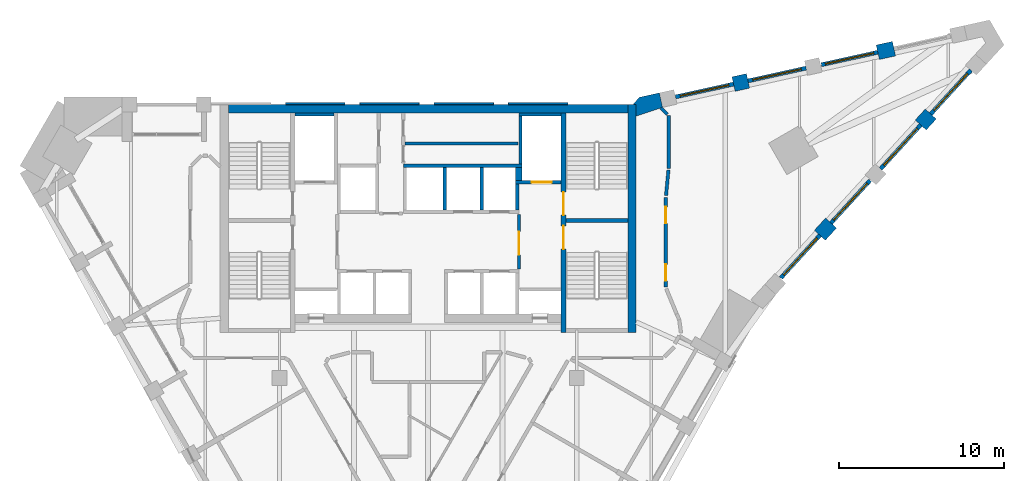
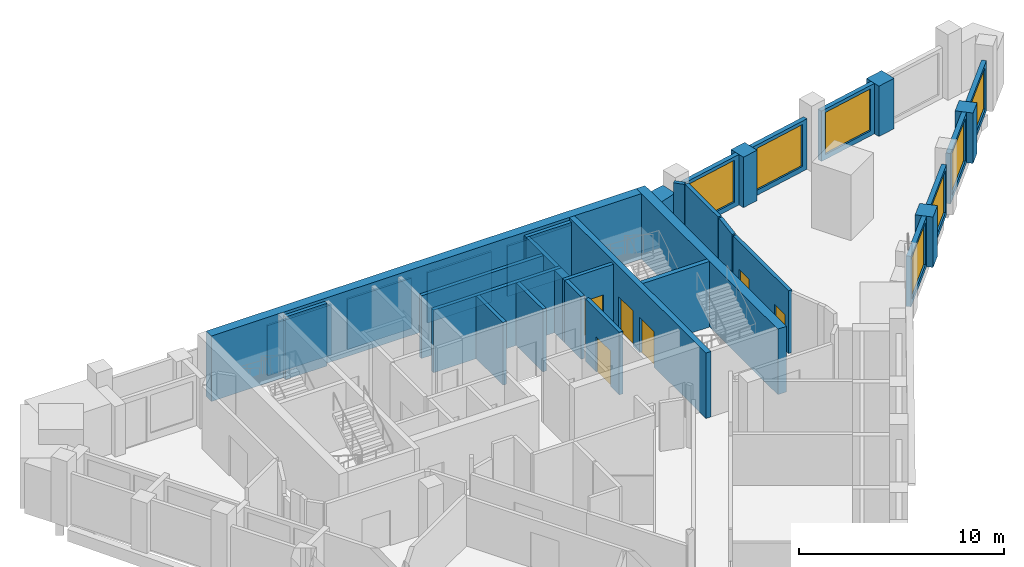
# One storey, part 6 of 8: 35 walls, 7 windows, 6 doors, 13 openings.
"""IFC4 building model written with IfcOpenShell, lengths in metres."""

from ifc_helpers import new_model, si_unit, direction, frame, frame_2d, origin, place, context, subcontext, project, spatial, polyline, rectangle, outline, extrude, material, layer, layer_set, type_object, element, fill, save


model = new_model("IFC4")

# Units and contexts
model_context = context("Model", 3, precision=1e-05, world=origin(), true_north=direction((0.0, 1.0)))
body_context = subcontext(model_context, "Body", "Model", "MODEL_VIEW")
ifc_project = project(units=[si_unit("LENGTHUNIT", "METRE"), si_unit("AREAUNIT", "SQUARE_METRE"), si_unit("VOLUMEUNIT", "CUBIC_METRE"), si_unit("PLANEANGLEUNIT", "RADIAN"), si_unit("MASSUNIT", "GRAM", prefix="KILO")], contexts=[model_context])

# Site, building, storey
site_placement = place(None, origin())
site = spatial("IfcSite", under=ifc_project, at=site_placement, CompositionType="ELEMENT")
building_placement = place(site_placement, origin())
building = spatial("IfcBuilding", under=site, at=building_placement, Name="Calabash Gate Tower", CompositionType="ELEMENT")
storey_placement = place(building_placement, frame((0.0, 0.0, 263.800048828125)))
storey = spatial("IfcBuildingStorey", under=building, at=storey_placement, Name="L63", CompositionType="ELEMENT", Elevation=263.800048828125)

# Walls
ifc_material_1 = material(Name="Terracotta brick masonry, exposed face", Category="masonry")
ifc_layer_1 = layer(ifc_material_1, 0.89990234375)
ifc_layer_set_1 = layer_set([ifc_layer_1], Name="Brick end wall 900")
wall_type_1 = type_object("IfcWallType", Name="Brick end wall 900", PredefinedType="SOLIDWALL", material=ifc_layer_set_1)
wall_1_placement = place(storey_placement, frame((23.728515625, 11.135009765625, 0.0), z_axis=(0.0, 0.0, 1.0), x_axis=(0.674788120713, 0.738011512203, 0.0)))
element("IfcWall", 1, at=wall_1_placement, inside=storey, type_object=wall_type_1, Name="Brick pier S18 wedge3.1", PredefinedType="SOLIDWALL", context=body_context, shape_type="SweptSolid", body=[
    extrude(rectangle(XDim=1.00390625, YDim=0.89990234375, at=frame_2d((0.501953125, 0.0))), origin(), (0.0, 0.0, 1.0), 3.0),
])
wall_2_placement = place(storey_placement, frame((30.44482421875, 18.47900390625, 0.0), z_axis=(0.0, 0.0, 1.0), x_axis=(-0.674938051731, -0.737874397391, 0.0)))
element("IfcWall", 2, at=wall_2_placement, inside=storey, type_object=wall_type_1, Name="Brick pier S18 wedge3.3", PredefinedType="SOLIDWALL", context=body_context, shape_type="SweptSolid", body=[
    extrude(rectangle(XDim=0.89990234375, YDim=0.89990234375, at=frame_2d((0.449951171875, 0.0))), origin(), (0.0, 0.0, 1.0), 3.0),
])
wall_3_placement = place(storey_placement, frame((28.21728515625, 22.436279296875, 0.0), z_axis=(0.0, 0.0, 1.0), x_axis=(-0.97656888558, -0.215205045752, 0.0)))
element("IfcWall", 3, at=wall_3_placement, inside=storey, type_object=wall_type_1, Name="Brick pier S18 wedge5.1", PredefinedType="SOLIDWALL", context=body_context, shape_type="SweptSolid", body=[
    extrude(rectangle(XDim=1.00390625, YDim=0.89990234375, at=frame_2d((0.501953125, 0.0))), origin(), (0.0, 0.0, 1.0), 3.0),
])
wall_4_placement = place(storey_placement, frame((18.4990234375, 20.2919921875, 0.0), z_axis=(0.0, 0.0, 1.0), x_axis=(0.976473402733, 0.215637876437, 0.0)))
element("IfcWall", 4, at=wall_4_placement, inside=storey, type_object=wall_type_1, Name="Brick pier S18 wedge5.3", PredefinedType="SOLIDWALL", context=body_context, shape_type="SweptSolid", body=[
    extrude(rectangle(XDim=0.900146484375, YDim=0.89990234375, at=frame_2d((0.4501953125, 0.0))), origin(), (0.0, 0.0, 1.0), 3.0),
])
wall_5_placement = place(storey_placement, origin())
element("IfcWall", 5, at=wall_5_placement, inside=storey, type_object=wall_type_1, Name="Brick end wall S18 3", PredefinedType="SOLIDWALL", context=body_context, shape_type="SweptSolid", body=[
    extrude(outline(polyline([(14.201416015625, 18.883056640625), (14.0078125, 19.761962890625), (12.784423828125, 19.491943359375), (12.410400390625, 19.052490234375), (12.60009765625, 19.052490234375), (12.60009765625, 18.351806640625), (14.201416015625, 18.883056640625)])), origin(), (0.0, 0.0, 1.0), 3.0),
])
ifc_material_2 = material(Name="Concrete C60/75", Category="concrete")
ifc_layer_2 = layer(ifc_material_2, 0.25)
ifc_layer_set_2 = layer_set([ifc_layer_2], Name="Core wall 250 Concrete C60/75")
wall_type_2 = type_object("IfcWallType", Name="Core wall 250 Concrete C60/75", PredefinedType="SHEAR", material=ifc_layer_set_2)
wall_6_placement = place(storey_placement, frame((8.35009765625, 12.027587890625, 0.0), z_axis=(0.0, 0.0, 1.0), x_axis=(1.0, 0.0, 0.0)))
element("IfcWall", 6, at=wall_6_placement, inside=storey, type_object=wall_type_2, Name="Core wall Z5-MIDE L63", PredefinedType="SHEAR", context=body_context, shape_type="SweptSolid", body=[
    extrude(rectangle(XDim=3.75, YDim=0.25, at=frame_2d((1.875, 0.0))), origin(), (0.0, 0.0, 1.0), 3.89990234375),
])

# Wall, openings, doors
ifc_material_3 = material(Name="Concrete C60/75", Category="concrete")
ifc_layer_3 = layer(ifc_material_3, 0.300048828125)
ifc_layer_set_3 = layer_set([ifc_layer_3], Name="Core wall 300 Concrete C60/75")
wall_type_3 = type_object("IfcWallType", Name="Core wall 300 Concrete C60/75", PredefinedType="SHEAR", material=ifc_layer_set_3)
wall_7_placement = place(storey_placement, frame((8.199951171875, 5.252685546875, 0.0), z_axis=(0.0, 0.0, 1.0), x_axis=(0.0, 1.0, 0.0)))
wall_7 = element("IfcWall", 7, at=wall_7_placement, inside=storey, type_object=wall_type_3, Name="Core wall Z5-PARTE L63", PredefinedType="SHEAR", context=body_context, shape_type="SweptSolid", body=[
    extrude(rectangle(XDim=13.2998046875, YDim=0.300048828125, at=frame_2d((6.64990234375, 0.0))), origin(), (0.0, 0.0, 1.0), 3.89990234375),
])
opening_1_placement = place(wall_7_placement, frame((7.10009765625, 0.0, 0.0)))
opening_1 = element("IfcOpeningElement", 8, at=opening_1_placement, cuts=wall_7, Name="Opening O10-011", PredefinedType="OPENING", context=body_context, shape_type="SweptSolid", body=[
    extrude(rectangle(XDim=1.39990234375, YDim=2.10009765625, at=frame_2d((0.699951171875, 1.050048828125))), frame((0.0, 0.159912109375, 0.0), z_axis=(0.0, -1.0, 0.0), x_axis=(1.0, 0.0, 0.0)), (0.0, 0.0, 1.0), 0.320068359375),
])
opening_2_placement = place(wall_7_placement, frame((5.050048828125, 0.0, 0.0)))
opening_2 = element("IfcOpeningElement", 9, at=opening_2_placement, cuts=wall_7, Name="Opening O10-012", PredefinedType="OPENING", context=body_context, shape_type="SweptSolid", body=[
    extrude(rectangle(XDim=1.39990234375, YDim=2.10009765625, at=frame_2d((0.699951171875, 1.050048828125))), frame((0.0, 0.159912109375, 0.0), z_axis=(0.0, -1.0, 0.0), x_axis=(1.0, 0.0, 0.0)), (0.0, 0.0, 1.0), 0.320068359375),
])
ifc_material_4 = material(Name="Steel fire door set with fire-resisting glazing", Category="steel")
door_type_1 = type_object("IfcDoorType", Name="Fire door D05 1400x2100 FD90", OperationType="NOTDEFINED", PredefinedType="DOOR", material=ifc_material_4)
door_1_placement = place(opening_1_placement, origin())
door_1 = element("IfcDoor", 10, at=door_1_placement, inside=storey, type_object=door_type_1, Name="Exit stair door ST3", OperationType="SINGLE_SWING_RIGHT", OverallHeight=2.10009765625, OverallWidth=1.39990234375, PredefinedType="DOOR", context=body_context, shape_type="SweptSolid", body=[
    extrude(rectangle(XDim=1.39990234375, YDim=2.10009765625, at=frame_2d((0.699951171875, 1.050048828125))), frame((0.0, 0.02490234375, 0.0), z_axis=(0.0, -1.0, 0.0), x_axis=(1.0, 0.0, 0.0)), (0.0, 0.0, 1.0), 0.050048828125),
])
fill(opening_1, door_1)
door_2_placement = place(opening_2_placement, origin())
door_2 = element("IfcDoor", 11, at=door_2_placement, inside=storey, type_object=door_type_1, Name="Exit stair door ST4", OperationType="SINGLE_SWING_LEFT", OverallHeight=2.10009765625, OverallWidth=1.39990234375, PredefinedType="DOOR", context=body_context, shape_type="SweptSolid", body=[
    extrude(rectangle(XDim=1.39990234375, YDim=2.10009765625, at=frame_2d((0.699951171875, 1.050048828125))), frame((0.0, 0.02490234375, 0.0), z_axis=(0.0, -1.0, 0.0), x_axis=(1.0, 0.0, 0.0)), (0.0, 0.0, 1.0), 0.050048828125),
])
fill(opening_2, door_2)

# Walls
ifc_material_5 = material(Name="Concrete C60/75", Category="concrete")
ifc_layer_4 = layer(ifc_material_5, 0.5)
ifc_layer_set_4 = layer_set([ifc_layer_4], Name="Core wall 500 Concrete C60/75")
wall_type_4 = type_object("IfcWallType", Name="Core wall 500 Concrete C60/75", PredefinedType="SHEAR", material=ifc_layer_set_4)
wall_8_placement = place(storey_placement, frame((-12.10009765625, 18.802490234375, 0.0), z_axis=(0.0, 0.0, 1.0), x_axis=(1.0, 0.0, 0.0)))
element("IfcWall", 12, at=wall_8_placement, inside=storey, type_object=wall_type_4, Name="Core wall Z5-N L63", PredefinedType="SHEAR", context=body_context, shape_type="SweptSolid", body=[
    extrude(rectangle(XDim=24.2001953125, YDim=0.5, at=frame_2d((12.10009765625, 0.0))), origin(), (0.0, 0.0, 1.0), 3.89990234375),
])
wall_9_placement = place(storey_placement, frame((12.35009765625, 5.252685546875, 0.0), z_axis=(0.0, 0.0, 1.0), x_axis=(0.0, 1.0, 0.0)))
element("IfcWall", 13, at=wall_9_placement, inside=storey, type_object=wall_type_4, Name="Core wall Z5-COLE L63", PredefinedType="SHEAR", context=body_context, shape_type="SweptSolid", body=[
    extrude(rectangle(XDim=13.7998046875, YDim=0.5, at=frame_2d((6.89990234375, 0.0))), origin(), (0.0, 0.0, 1.0), 3.89990234375),
])

# Wall, openings, doors
ifc_material_6 = material(Name="Gypsum board on steel studs, mineral wool", Category="steel")
ifc_layer_5 = layer(ifc_material_6, 0.199951171875)
ifc_layer_set_5 = layer_set([ifc_layer_5], Name="Partition 200 gypsum board EI 60")
wall_type_5 = type_object("IfcWallType", Name="Partition 200 gypsum board EI 60", PredefinedType="PARTITIONING", material=ifc_layer_set_5)
wall_10_placement = place(storey_placement, frame((14.400390625, 8.017333984375, 0.0), z_axis=(0.0, 0.0, 1.0), x_axis=(0.0, 1.0, 0.0)))
wall_10 = element("IfcWall", 14, at=wall_10_placement, inside=storey, type_object=wall_type_5, Name="Partition", PredefinedType="PARTITIONING", context=body_context, shape_type="SweptSolid", body=[
    extrude(rectangle(XDim=5.419189453125, YDim=0.199951171875, at=frame_2d((2.70947265625, 0.0))), origin(), (0.0, 0.0, 1.0), 3.72998046875),
])
opening_3_placement = place(wall_10_placement, frame((3.83544921875, 0.0, 0.0)))
opening_3 = element("IfcOpeningElement", 15, at=opening_3_placement, cuts=wall_10, Name="Opening 62-64-008", PredefinedType="OPENING", context=body_context, shape_type="SweptSolid", body=[
    extrude(rectangle(XDim=1.0, YDim=2.10009765625, at=frame_2d((0.5, 1.050048828125))), frame((0.0, 0.10986328125, 0.0), z_axis=(0.0, -1.0, 0.0), x_axis=(1.0, 0.0, 0.0)), (0.0, 0.0, 1.0), 0.219970703125),
])
opening_4_placement = place(wall_10_placement, frame((0.35009765625, 0.0, 0.0)))
opening_4 = element("IfcOpeningElement", 16, at=opening_4_placement, cuts=wall_10, Name="Opening 62-64-009", PredefinedType="OPENING", context=body_context, shape_type="SweptSolid", body=[
    extrude(rectangle(XDim=1.0, YDim=2.10009765625, at=frame_2d((0.5, 1.050048828125))), frame((0.0, 0.10986328125, 0.0), z_axis=(0.0, -1.0, 0.0), x_axis=(1.0, 0.0, 0.0)), (0.0, 0.0, 1.0), 0.219970703125),
])
ifc_material_7 = material(Name="Steel fire door set with fire-resisting glazing", Category="steel")
door_type_2 = type_object("IfcDoorType", Name="LD2 Meeting room door 1000x2100", OperationType="NOTDEFINED", PredefinedType="DOOR", material=ifc_material_7)
door_3_placement = place(opening_3_placement, origin())
door_3 = element("IfcDoor", 17, at=door_3_placement, inside=storey, type_object=door_type_2, Name="Meeting room door", OperationType="SINGLE_SWING_RIGHT", OverallHeight=2.10009765625, OverallWidth=1.0, PredefinedType="DOOR", context=body_context, shape_type="SweptSolid", body=[
    extrude(rectangle(XDim=1.0, YDim=2.10009765625, at=frame_2d((0.5, 1.050048828125))), frame((0.0, 0.02490234375, 0.0), z_axis=(0.0, -1.0, 0.0), x_axis=(1.0, 0.0, 0.0)), (0.0, 0.0, 1.0), 0.050048828125),
])
fill(opening_3, door_3)
door_4_placement = place(opening_4_placement, origin())
door_4 = element("IfcDoor", 18, at=door_4_placement, inside=storey, type_object=door_type_2, Name="Meeting room door", OperationType="SINGLE_SWING_LEFT", OverallHeight=2.10009765625, OverallWidth=1.0, PredefinedType="DOOR", context=body_context, shape_type="SweptSolid", body=[
    extrude(rectangle(XDim=1.0, YDim=2.10009765625, at=frame_2d((0.5, 1.050048828125))), frame((0.0, 0.02490234375, 0.0), z_axis=(0.0, -1.0, 0.0), x_axis=(1.0, 0.0, 0.0)), (0.0, 0.0, 1.0), 0.050048828125),
])
fill(opening_4, door_4)

# Walls
wall_11_placement = place(storey_placement, frame((14.409912109375, 13.5361328125, 0.0), z_axis=(0.0, 0.0, 1.0), x_axis=(0.094453682086, 0.9955292572, 0.0)))
element("IfcWall", 19, at=wall_11_placement, inside=storey, type_object=wall_type_5, Name="Partition", PredefinedType="PARTITIONING", context=body_context, shape_type="SweptSolid", body=[
    extrude(rectangle(XDim=1.555908203125, YDim=0.199951171875, at=frame_2d((0.77783203125, 0.0))), origin(), (0.0, 0.0, 1.0), 3.72998046875),
])
wall_12_placement = place(storey_placement, frame((14.566162109375, 18.392578125, 0.0), z_axis=(0.0, 0.0, 1.0), x_axis=(0.0, -1.0, 0.0)))
element("IfcWall", 20, at=wall_12_placement, inside=storey, type_object=wall_type_5, Name="Partition", PredefinedType="PARTITIONING", context=body_context, shape_type="SweptSolid", body=[
    extrude(rectangle(XDim=3.2080078125, YDim=0.199951171875, at=frame_2d((1.60400390625, 0.0))), origin(), (0.0, 0.0, 1.0), 3.72998046875),
])
wall_13_placement = place(storey_placement, frame((14.107177734375, 18.851806640625, 0.0), z_axis=(0.0, 0.0, 1.0), x_axis=(0.707106781187, -0.707106781187, 0.0)))
element("IfcWall", 21, at=wall_13_placement, inside=storey, type_object=wall_type_5, Name="Partition", PredefinedType="PARTITIONING", context=body_context, shape_type="SweptSolid", body=[
    extrude(rectangle(XDim=0.54931640625, YDim=0.199951171875, at=frame_2d((0.274658203125, 0.0))), origin(), (0.0, 0.0, 1.0), 3.72998046875),
])

# Wall, opening, window
ifc_material_8 = material(Name="Aluminium framed window wall with insulated spandrel", Category="aluminium")
ifc_layer_6 = layer(ifc_material_8, 0.25)
ifc_layer_set_6 = layer_set([ifc_layer_6], Name="Prow window wall 250")
wall_type_6 = type_object("IfcWallType", Name="Prow window wall 250", PredefinedType="ELEMENTEDWALL", material=ifc_layer_set_6)
wall_14_placement = place(storey_placement, frame((21.367919921875, 8.5537109375, 0.0), z_axis=(0.0, 0.0, 1.0), x_axis=(0.67487449122, 0.737932531537, 0.0)))
wall_14 = element("IfcWall", 22, at=wall_14_placement, inside=storey, type_object=wall_type_6, Name="Prow window wall S18 wedge3.1", PredefinedType="ELEMENTEDWALL", context=body_context, shape_type="SweptSolid", body=[
    extrude(rectangle(XDim=3.5, YDim=0.25, at=frame_2d((1.75, 0.0))), origin(), (0.0, 0.0, 1.0), 3.0),
])
opening_5_placement = place(wall_14_placement, frame((0.25, 0.0, 0.300048828125)))
opening_5 = element("IfcOpeningElement", 23, at=opening_5_placement, cuts=wall_14, Name="Opening WP2", PredefinedType="OPENING", context=body_context, shape_type="SweptSolid", body=[
    extrude(rectangle(XDim=3.0, YDim=2.5, at=frame_2d((1.5, 1.25))), frame((0.0, 0.135009765625, 0.0), z_axis=(0.0, -1.0, 0.0), x_axis=(1.0, 0.0, 0.0)), (0.0, 0.0, 1.0), 0.27001953125),
])
ifc_material_9 = material(Name="Anodised aluminium frame, bronze finish, impact-rated laminated clear glazing", Category="aluminium")
window_type = type_object("IfcWindowType", Name="Window WP2 3000x2500", PartitioningType="DOUBLE_PANEL_VERTICAL", PredefinedType="WINDOW", material=ifc_material_9)
window_1_placement = place(opening_5_placement, origin())
window_1 = element("IfcWindow", 24, at=window_1_placement, inside=storey, type_object=window_type, Name="Prow window WP2 S18 wedge3.1", OverallHeight=2.5, OverallWidth=3.0, PartitioningType="SINGLE_PANEL", PredefinedType="WINDOW", context=body_context, shape_type="SweptSolid", body=[
    extrude(rectangle(XDim=3.0, YDim=2.5, at=frame_2d((1.5, 1.25))), frame((0.0, 0.030029296875, 0.0), z_axis=(0.0, -1.0, 0.0), x_axis=(1.0, 0.0, 0.0)), (0.0, 0.0, 1.0), 0.06005859375),
])
fill(opening_5, window_1)

wall_15_placement = place(storey_placement, frame((24.40478515625, 11.87451171875, 0.0), z_axis=(0.0, 0.0, 1.0), x_axis=(0.67487449122, 0.737932531537, 0.0)))
wall_15 = element("IfcWall", 25, at=wall_15_placement, inside=storey, type_object=wall_type_6, Name="Prow window wall S18 wedge3.2", PredefinedType="ELEMENTEDWALL", context=body_context, shape_type="SweptSolid", body=[
    extrude(rectangle(XDim=3.5, YDim=0.25, at=frame_2d((1.75, 0.0))), origin(), (0.0, 0.0, 1.0), 3.0),
])
opening_6_placement = place(wall_15_placement, frame((0.25, 0.0, 0.300048828125)))
opening_6 = element("IfcOpeningElement", 26, at=opening_6_placement, cuts=wall_15, Name="Opening WP2", PredefinedType="OPENING", context=body_context, shape_type="SweptSolid", body=[
    extrude(rectangle(XDim=3.0, YDim=2.5, at=frame_2d((1.5, 1.25))), frame((0.0, 0.135009765625, 0.0), z_axis=(0.0, -1.0, 0.0), x_axis=(1.0, 0.0, 0.0)), (0.0, 0.0, 1.0), 0.27001953125),
])
window_2_placement = place(opening_6_placement, origin())
window_2 = element("IfcWindow", 27, at=window_2_placement, inside=storey, type_object=window_type, Name="Prow window WP2 S18 wedge3.2", OverallHeight=2.5, OverallWidth=3.0, PartitioningType="SINGLE_PANEL", PredefinedType="WINDOW", context=body_context, shape_type="SweptSolid", body=[
    extrude(rectangle(XDim=3.0, YDim=2.5, at=frame_2d((1.5, 1.25))), frame((0.0, 0.030029296875, 0.0), z_axis=(0.0, -1.0, 0.0), x_axis=(1.0, 0.0, 0.0)), (0.0, 0.0, 1.0), 0.06005859375),
])
fill(opening_6, window_2)

wall_16_placement = place(storey_placement, frame((27.407958984375, 15.158203125, 0.0), z_axis=(0.0, 0.0, 1.0), x_axis=(0.674833575111, 0.737969949187, 0.0)))
wall_16 = element("IfcWall", 28, at=wall_16_placement, inside=storey, type_object=wall_type_6, Name="Prow window wall S18 wedge3.3", PredefinedType="ELEMENTEDWALL", context=body_context, shape_type="SweptSolid", body=[
    extrude(rectangle(XDim=3.60009765625, YDim=0.25, at=frame_2d((1.800048828125, 0.0))), origin(), (0.0, 0.0, 1.0), 3.0),
])
opening_7_placement = place(wall_16_placement, frame((0.300048828125, 0.0, 0.300048828125)))
opening_7 = element("IfcOpeningElement", 29, at=opening_7_placement, cuts=wall_16, Name="Opening WP2", PredefinedType="OPENING", context=body_context, shape_type="SweptSolid", body=[
    extrude(rectangle(XDim=3.0, YDim=2.5, at=frame_2d((1.5, 1.25))), frame((0.0, 0.135009765625, 0.0), z_axis=(0.0, -1.0, 0.0), x_axis=(1.0, 0.0, 0.0)), (0.0, 0.0, 1.0), 0.27001953125),
])
window_3_placement = place(opening_7_placement, origin())
window_3 = element("IfcWindow", 30, at=window_3_placement, inside=storey, type_object=window_type, Name="Prow window WP2 S18 wedge3.3", OverallHeight=2.5, OverallWidth=3.0, PartitioningType="SINGLE_PANEL", PredefinedType="WINDOW", context=body_context, shape_type="SweptSolid", body=[
    extrude(rectangle(XDim=3.0, YDim=2.5, at=frame_2d((1.5, 1.25))), frame((0.0, 0.030029296875, 0.0), z_axis=(0.0, -1.0, 0.0), x_axis=(1.0, 0.0, 0.0)), (0.0, 0.0, 1.0), 0.06005859375),
])
fill(opening_7, window_3)

wall_17_placement = place(storey_placement, frame((30.44482421875, 18.47900390625, 0.0), z_axis=(0.0, 0.0, 1.0), x_axis=(0.674833575111, 0.737969949187, 0.0)))
wall_17 = element("IfcWall", 31, at=wall_17_placement, inside=storey, type_object=wall_type_6, Name="Prow window wall S18 wedge3.4", PredefinedType="ELEMENTEDWALL", context=body_context, shape_type="SweptSolid", body=[
    extrude(rectangle(XDim=3.60009765625, YDim=0.25, at=frame_2d((1.800048828125, 0.0))), origin(), (0.0, 0.0, 1.0), 3.0),
])
opening_8_placement = place(wall_17_placement, frame((0.300048828125, 0.0, 0.300048828125)))
opening_8 = element("IfcOpeningElement", 32, at=opening_8_placement, cuts=wall_17, Name="Opening WP2", PredefinedType="OPENING", context=body_context, shape_type="SweptSolid", body=[
    extrude(rectangle(XDim=3.0, YDim=2.5, at=frame_2d((1.5, 1.25))), frame((0.0, 0.135009765625, 0.0), z_axis=(0.0, -1.0, 0.0), x_axis=(1.0, 0.0, 0.0)), (0.0, 0.0, 1.0), 0.27001953125),
])
window_4_placement = place(opening_8_placement, origin())
window_4 = element("IfcWindow", 33, at=window_4_placement, inside=storey, type_object=window_type, Name="Prow window WP2 S18 wedge3.4", OverallHeight=2.5, OverallWidth=3.0, PartitioningType="SINGLE_PANEL", PredefinedType="WINDOW", context=body_context, shape_type="SweptSolid", body=[
    extrude(rectangle(XDim=3.0, YDim=2.5, at=frame_2d((1.5, 1.25))), frame((0.0, 0.030029296875, 0.0), z_axis=(0.0, -1.0, 0.0), x_axis=(1.0, 0.0, 0.0)), (0.0, 0.0, 1.0), 0.06005859375),
])
fill(opening_8, window_4)

wall_18_placement = place(storey_placement, frame((27.23876953125, 22.220458984375, 0.0), z_axis=(0.0, 0.0, 1.0), x_axis=(-0.976509313763, -0.215475196101, 0.0)))
wall_18 = element("IfcWall", 34, at=wall_18_placement, inside=storey, type_object=wall_type_6, Name="Prow window wall S18 wedge5.2", PredefinedType="ELEMENTEDWALL", context=body_context, shape_type="SweptSolid", body=[
    extrude(rectangle(XDim=3.5, YDim=0.25, at=frame_2d((1.75, 0.0))), origin(), (0.0, 0.0, 1.0), 3.0),
])
opening_9_placement = place(wall_18_placement, frame((0.25, 0.0, 0.300048828125)))
opening_9 = element("IfcOpeningElement", 35, at=opening_9_placement, cuts=wall_18, Name="Opening WP2", PredefinedType="OPENING", context=body_context, shape_type="SweptSolid", body=[
    extrude(rectangle(XDim=3.0, YDim=2.5, at=frame_2d((1.5, 1.25))), frame((0.0, 0.135009765625, 0.0), z_axis=(0.0, -1.0, 0.0), x_axis=(1.0, 0.0, 0.0)), (0.0, 0.0, 1.0), 0.27001953125),
])
window_5_placement = place(opening_9_placement, origin())
window_5 = element("IfcWindow", 36, at=window_5_placement, inside=storey, type_object=window_type, Name="Prow window WP2 S18 wedge5.2", OverallHeight=2.5, OverallWidth=3.0, PartitioningType="SINGLE_PANEL", PredefinedType="WINDOW", context=body_context, shape_type="SweptSolid", body=[
    extrude(rectangle(XDim=3.0, YDim=2.5, at=frame_2d((1.5, 1.25))), frame((0.0, 0.030029296875, 0.0), z_axis=(0.0, -1.0, 0.0), x_axis=(1.0, 0.0, 0.0)), (0.0, 0.0, 1.0), 0.06005859375),
])
fill(opening_9, window_5)

wall_19_placement = place(storey_placement, frame((22.893310546875, 21.26171875, 0.0), z_axis=(0.0, 0.0, 1.0), x_axis=(-0.976513072969, -0.215458159096, 0.0)))
wall_19 = element("IfcWall", 37, at=wall_19_placement, inside=storey, type_object=wall_type_6, Name="Prow window wall S18 wedge5.3", PredefinedType="ELEMENTEDWALL", context=body_context, shape_type="SweptSolid", body=[
    extrude(rectangle(XDim=3.599853515625, YDim=0.25, at=frame_2d((1.7998046875, 0.0))), origin(), (0.0, 0.0, 1.0), 3.0),
])
opening_10_placement = place(wall_19_placement, frame((0.300048828125, 0.0, 0.300048828125)))
opening_10 = element("IfcOpeningElement", 38, at=opening_10_placement, cuts=wall_19, Name="Opening WP2", PredefinedType="OPENING", context=body_context, shape_type="SweptSolid", body=[
    extrude(rectangle(XDim=3.0, YDim=2.5, at=frame_2d((1.5, 1.25))), frame((0.0, 0.135009765625, 0.0), z_axis=(0.0, -1.0, 0.0), x_axis=(1.0, 0.0, 0.0)), (0.0, 0.0, 1.0), 0.27001953125),
])
window_6_placement = place(opening_10_placement, origin())
window_6 = element("IfcWindow", 39, at=window_6_placement, inside=storey, type_object=window_type, Name="Prow window WP2 S18 wedge5.3", OverallHeight=2.5, OverallWidth=3.0, PartitioningType="SINGLE_PANEL", PredefinedType="WINDOW", context=body_context, shape_type="SweptSolid", body=[
    extrude(rectangle(XDim=3.0, YDim=2.5, at=frame_2d((1.5, 1.25))), frame((0.0, 0.030029296875, 0.0), z_axis=(0.0, -1.0, 0.0), x_axis=(1.0, 0.0, 0.0)), (0.0, 0.0, 1.0), 0.06005859375),
])
fill(opening_10, window_6)

wall_20_placement = place(storey_placement, frame((18.4990234375, 20.2919921875, 0.0), z_axis=(0.0, 0.0, 1.0), x_axis=(-0.976513072969, -0.215458159096, 0.0)))
wall_20 = element("IfcWall", 40, at=wall_20_placement, inside=storey, type_object=wall_type_6, Name="Prow window wall S18 wedge5.4", PredefinedType="ELEMENTEDWALL", context=body_context, shape_type="SweptSolid", body=[
    extrude(rectangle(XDim=3.599853515625, YDim=0.25, at=frame_2d((1.7998046875, 0.0))), origin(), (0.0, 0.0, 1.0), 3.0),
])
opening_11_placement = place(wall_20_placement, frame((0.300048828125, 0.0, 0.300048828125)))
opening_11 = element("IfcOpeningElement", 41, at=opening_11_placement, cuts=wall_20, Name="Opening WP2", PredefinedType="OPENING", context=body_context, shape_type="SweptSolid", body=[
    extrude(rectangle(XDim=3.0, YDim=2.5, at=frame_2d((1.5, 1.25))), frame((0.0, 0.135009765625, 0.0), z_axis=(0.0, -1.0, 0.0), x_axis=(1.0, 0.0, 0.0)), (0.0, 0.0, 1.0), 0.27001953125),
])
window_7_placement = place(opening_11_placement, origin())
window_7 = element("IfcWindow", 42, at=window_7_placement, inside=storey, type_object=window_type, Name="Prow window WP2 S18 wedge5.4", OverallHeight=2.5, OverallWidth=3.0, PartitioningType="SINGLE_PANEL", PredefinedType="WINDOW", context=body_context, shape_type="SweptSolid", body=[
    extrude(rectangle(XDim=3.0, YDim=2.5, at=frame_2d((1.5, 1.25))), frame((0.0, 0.030029296875, 0.0), z_axis=(0.0, -1.0, 0.0), x_axis=(1.0, 0.0, 0.0)), (0.0, 0.0, 1.0), 0.06005859375),
])
fill(opening_11, window_7)

# Wall, opening, door
ifc_material_10 = material(Name="Concrete C40/50", Category="concrete")
ifc_layer_7 = layer(ifc_material_10, 0.199951171875)
ifc_layer_set_7 = layer_set([ifc_layer_7], Name="Shaft wall 200 Concrete C40/50")
wall_type_7 = type_object("IfcWallType", Name="Shaft wall 200 Concrete C40/50", PredefinedType="SOLIDWALL", material=ifc_layer_set_7)
wall_21_placement = place(storey_placement, frame((5.5, 9.1025390625, 0.0), z_axis=(0.0, 0.0, 1.0), x_axis=(0.0, 1.0, 0.0)))
wall_21 = element("IfcWall", 43, at=wall_21_placement, inside=storey, type_object=wall_type_7, Name="Shaft wall", PredefinedType="SOLIDWALL", context=body_context, shape_type="SweptSolid", body=[
    extrude(rectangle(XDim=3.300048828125, YDim=0.199951171875, at=frame_2d((1.64990234375, 0.0))), origin(), (0.0, 0.0, 1.0), 3.72998046875),
])
opening_12_placement = place(wall_21_placement, frame((0.85009765625, 0.0, 0.0)))
opening_12 = element("IfcOpeningElement", 44, at=opening_12_placement, cuts=wall_21, Name="Opening O10-002", PredefinedType="OPENING", context=body_context, shape_type="SweptSolid", body=[
    extrude(rectangle(XDim=1.39990234375, YDim=2.10009765625, at=frame_2d((0.699951171875, 1.050048828125))), frame((0.0, 0.10986328125, 0.0), z_axis=(0.0, -1.0, 0.0), x_axis=(1.0, 0.0, 0.0)), (0.0, 0.0, 1.0), 0.219970703125),
])
door_5_placement = place(opening_12_placement, origin())
door_5 = element("IfcDoor", 45, at=door_5_placement, inside=storey, type_object=door_type_1, Name="Firefighting Lobby E door", OperationType="SINGLE_SWING_LEFT", OverallHeight=2.10009765625, OverallWidth=1.39990234375, PredefinedType="DOOR", context=body_context, shape_type="SweptSolid", body=[
    extrude(rectangle(XDim=1.39990234375, YDim=2.10009765625, at=frame_2d((0.699951171875, 1.050048828125))), frame((0.0, 0.02490234375, 0.0), z_axis=(0.0, -1.0, 0.0), x_axis=(1.0, 0.0, 0.0)), (0.0, 0.0, 1.0), 0.050048828125),
])
fill(opening_12, door_5)

# Walls
for number, where, z_axis, x_axis, name in (
    (46, (1.0, 12.652587890625, 0.0), (0.0, 0.0, 1.0), (0.0, 1.0, 0.0), "Shaft wall"),
    (47, (3.25, 12.652587890625, 0.0), (0.0, 0.0, 1.0), (0.0, 1.0, 0.0), "Shaft wall"),
):
    element("IfcWall", number, at=place(storey_placement, frame(where, z_axis=z_axis, x_axis=x_axis)), inside=storey, type_object=wall_type_7, Name=name, PredefinedType="SOLIDWALL", context=body_context, shape_type="SweptSolid", body=[
        extrude(rectangle(XDim=2.60009765625, YDim=0.199951171875, at=frame_2d((1.300048828125, 0.0))), origin(), (0.0, 0.0, 1.0), 3.72998046875),
    ])
wall_22_placement = place(storey_placement, frame((5.39990234375, 12.652587890625, 0.0), z_axis=(0.0, 0.0, 1.0), x_axis=(0.0, 1.0, 0.0)))
element("IfcWall", 48, at=wall_22_placement, inside=storey, type_object=wall_type_7, Name="Shaft wall", PredefinedType="SOLIDWALL", context=body_context, shape_type="SweptSolid", body=[
    extrude(rectangle(XDim=1.60009765625, YDim=0.199951171875, at=frame_2d((0.800048828125, 0.0))), origin(), (0.0, 0.0, 1.0), 3.72998046875),
])

# Wall, opening, door
wall_23_placement = place(storey_placement, frame((5.300048828125, 14.3525390625, 0.0), z_axis=(0.0, 0.0, 1.0), x_axis=(1.0, 0.0, 0.0)))
wall_23 = element("IfcWall", 49, at=wall_23_placement, inside=storey, type_object=wall_type_7, Name="Shaft wall", PredefinedType="SOLIDWALL", context=body_context, shape_type="SweptSolid", body=[
    extrude(rectangle(XDim=2.75, YDim=0.199951171875, at=frame_2d((1.375, 0.0))), origin(), (0.0, 0.0, 1.0), 3.72998046875),
])
opening_13_placement = place(wall_23_placement, frame((0.97509765625, 0.0, 0.0)))
opening_13 = element("IfcOpeningElement", 50, at=opening_13_placement, cuts=wall_23, Name="Opening LD-FF2", PredefinedType="OPENING", context=body_context, shape_type="SweptSolid", body=[
    extrude(rectangle(XDim=1.199951171875, YDim=2.10009765625, at=frame_2d((0.60009765625, 1.050048828125))), frame((0.0, 0.10986328125, 0.0), z_axis=(0.0, -1.0, 0.0), x_axis=(1.0, 0.0, 0.0)), (0.0, 0.0, 1.0), 0.219970703125),
])
ifc_material_11 = material(Name="Stainless steel sliding door leaves", Category="steel")
door_type_3 = type_object("IfcDoorType", Name="Lift landing door LS3 1200x2100 FD90", OperationType="DOUBLE_DOOR_SLIDING", PredefinedType="DOOR", material=ifc_material_11)
door_6_placement = place(opening_13_placement, origin())
door_6 = element("IfcDoor", 51, at=door_6_placement, inside=storey, type_object=door_type_3, Name="Lift landing door FF2", OperationType="DOUBLE_DOOR_SLIDING", OverallHeight=2.10009765625, OverallWidth=1.199951171875, PredefinedType="DOOR", context=body_context, shape_type="SweptSolid", body=[
    extrude(rectangle(XDim=1.199951171875, YDim=2.10009765625, at=frame_2d((0.60009765625, 1.050048828125))), frame((0.0, 0.02490234375, 0.0), z_axis=(0.0, -1.0, 0.0), x_axis=(1.0, 0.0, 0.0)), (0.0, 0.0, 1.0), 0.050048828125),
])
fill(opening_13, door_6)

# Walls
wall_24_placement = place(storey_placement, frame((5.5, 14.45263671875, 0.0), z_axis=(0.0, 0.0, 1.0), x_axis=(0.0, 1.0, 0.0)))
element("IfcWall", 52, at=wall_24_placement, inside=storey, type_object=wall_type_7, Name="Shaft wall", PredefinedType="SOLIDWALL", context=body_context, shape_type="SweptSolid", body=[
    extrude(rectangle(XDim=0.800048828125, YDim=0.39990234375, at=frame_2d((0.39990234375, 0.0))), origin(), (0.0, 0.0, 1.0), 3.72998046875),
])
wall_25_placement = place(storey_placement, frame((-1.5, 15.3525390625, 0.0), z_axis=(0.0, 0.0, 1.0), x_axis=(1.0, 0.0, 0.0)))
element("IfcWall", 53, at=wall_25_placement, inside=storey, type_object=wall_type_7, Name="Shaft wall", PredefinedType="SOLIDWALL", context=body_context, shape_type="SweptSolid", body=[
    extrude(rectangle(XDim=7.199951171875, YDim=0.199951171875, at=frame_2d((3.60009765625, 0.0))), origin(), (0.0, 0.0, 1.0), 3.72998046875),
])
wall_26_placement = place(storey_placement, frame((5.60009765625, 15.45263671875, 0.0), z_axis=(0.0, 0.0, 1.0), x_axis=(0.0, 1.0, 0.0)))
element("IfcWall", 54, at=wall_26_placement, inside=storey, type_object=wall_type_7, Name="Shaft wall", PredefinedType="SOLIDWALL", context=body_context, shape_type="SweptSolid", body=[
    extrude(rectangle(XDim=2.89990234375, YDim=0.199951171875, at=frame_2d((1.449951171875, 0.0))), origin(), (0.0, 0.0, 1.0), 3.72998046875),
])
wall_27_placement = place(storey_placement, frame((-1.39990234375, 16.692626953125, 0.0), z_axis=(0.0, 0.0, 1.0), x_axis=(1.0, 0.0, 0.0)))
element("IfcWall", 55, at=wall_27_placement, inside=storey, type_object=wall_type_7, Name="Shaft wall", PredefinedType="SOLIDWALL", context=body_context, shape_type="SweptSolid", body=[
    extrude(rectangle(XDim=6.849853515625, YDim=0.199951171875, at=frame_2d((3.4248046875, 0.0))), origin(), (0.0, 0.0, 1.0), 3.72998046875),
])
wall_28_placement = place(storey_placement, frame((-8.050048828125, 18.45263671875, 0.0), z_axis=(0.0, 0.0, 1.0), x_axis=(1.0, 0.0, 0.0)))
element("IfcWall", 56, at=wall_28_placement, inside=storey, type_object=wall_type_7, Name="Shaft wall", PredefinedType="SOLIDWALL", context=body_context, shape_type="SweptSolid", body=[
    extrude(rectangle(XDim=2.35009765625, YDim=0.199951171875, at=frame_2d((1.175048828125, 0.0))), origin(), (0.0, 0.0, 1.0), 3.72998046875),
])
wall_29_placement = place(storey_placement, frame((5.5, 18.45263671875, 0.0), z_axis=(0.0, 0.0, 1.0), x_axis=(1.0, 0.0, 0.0)))
element("IfcWall", 57, at=wall_29_placement, inside=storey, type_object=wall_type_7, Name="Shaft wall", PredefinedType="SOLIDWALL", context=body_context, shape_type="SweptSolid", body=[
    extrude(rectangle(XDim=2.550048828125, YDim=0.199951171875, at=frame_2d((1.27490234375, 0.0))), origin(), (0.0, 0.0, 1.0), 3.72998046875),
])
ifc_material_12 = material(Name="Terracotta brick masonry, perforated", Category="masonry")
ifc_layer_8 = layer(ifc_material_12, 0.1201171875)
ifc_layer_set_8 = layer_set([ifc_layer_8], Name="Terracotta jaali cladding B 120")
wall_type_8 = type_object("IfcWallType", Name="Terracotta jaali cladding B 120", PredefinedType="SOLIDWALL", material=ifc_layer_set_8)
wall_30_placement = place(storey_placement, origin())
element("IfcWall", 58, at=wall_30_placement, inside=storey, type_object=wall_type_8, Name="Jaali cladding S18 N6.1", PredefinedType="SOLIDWALL", context=body_context, shape_type="SweptSolid", body=[
    extrude(outline(polyline([(4.861572265625, 19.172607421875), (4.861572265625, 19.052490234375), (8.46142578125, 19.052490234375), (8.46142578125, 19.172607421875), (4.861572265625, 19.172607421875)])), origin(), (0.0, 0.0, 1.0), 3.0),
])
wall_31_placement = place(storey_placement, origin())
element("IfcWall", 59, at=wall_31_placement, inside=storey, type_object=wall_type_8, Name="Jaali cladding S18 N6.3", PredefinedType="SOLIDWALL", context=body_context, shape_type="SweptSolid", body=[
    extrude(outline(polyline([(-4.138427734375, 19.172607421875), (-4.138427734375, 19.052490234375), (-0.53857421875, 19.052490234375), (-0.53857421875, 19.172607421875), (-4.138427734375, 19.172607421875)])), origin(), (0.0, 0.0, 1.0), 3.0),
])
ifc_material_13 = material(Name="Terracotta louvre blades in an aluminium frame", Category="masonry")
ifc_layer_9 = layer(ifc_material_13, 0.1201171875)
ifc_layer_set_9 = layer_set([ifc_layer_9], Name="Terracotta vent louvre cladding 120")
wall_type_9 = type_object("IfcWallType", Name="Terracotta vent louvre cladding 120", PredefinedType="ELEMENTEDWALL", material=ifc_layer_set_9)
wall_32_placement = place(storey_placement, origin())
element("IfcWall", 60, at=wall_32_placement, inside=storey, type_object=wall_type_9, Name="Vent louvre cladding S18 N6.2", PredefinedType="ELEMENTEDWALL", context=body_context, shape_type="SweptSolid", body=[
    extrude(outline(polyline([(0.361572265625, 19.172607421875), (0.361572265625, 19.052490234375), (3.96142578125, 19.052490234375), (3.96142578125, 19.172607421875), (0.361572265625, 19.172607421875)])), origin(), (0.0, 0.0, 1.0), 3.0),
])
wall_33_placement = place(storey_placement, origin())
element("IfcWall", 61, at=wall_33_placement, inside=storey, type_object=wall_type_9, Name="Vent louvre cladding S18 N6.4", PredefinedType="ELEMENTEDWALL", context=body_context, shape_type="SweptSolid", body=[
    extrude(outline(polyline([(-8.638427734375, 19.172607421875), (-8.638427734375, 19.052490234375), (-5.03857421875, 19.052490234375), (-5.03857421875, 19.172607421875), (-8.638427734375, 19.172607421875)])), origin(), (0.0, 0.0, 1.0), 3.0),
])

save(model, "model.ifc")
